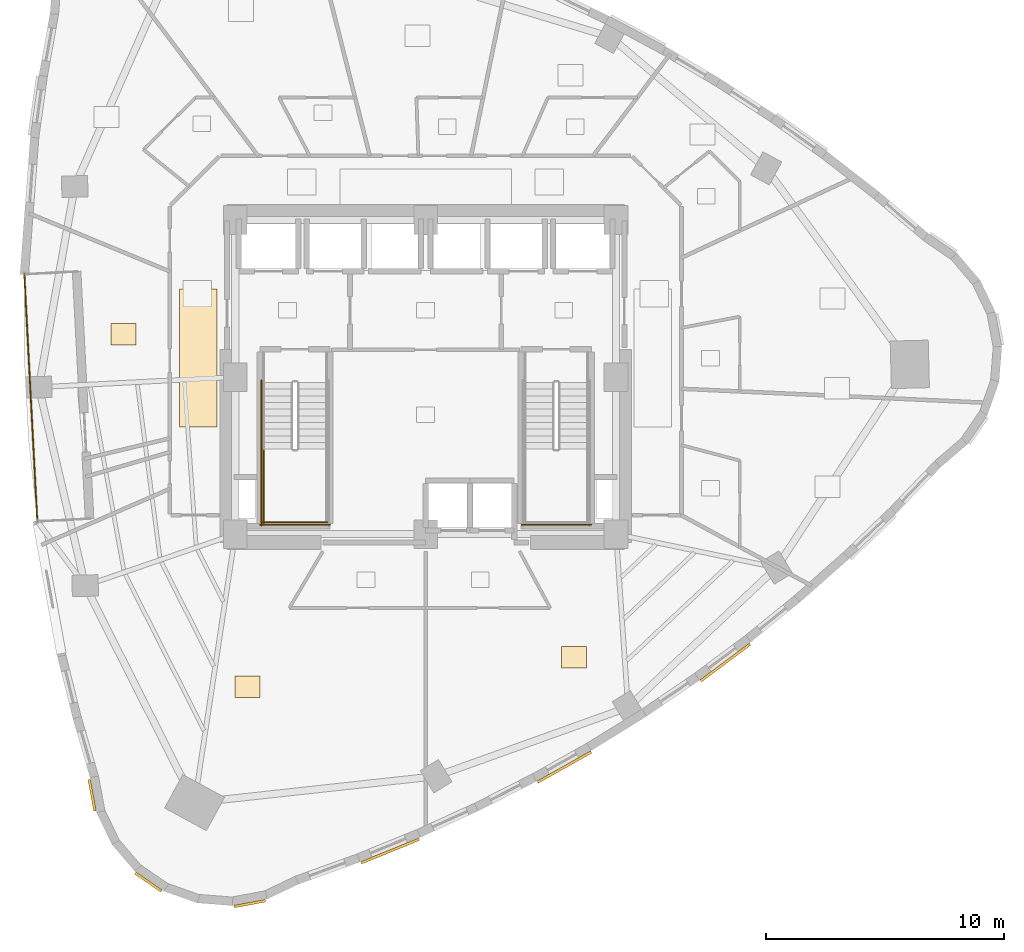
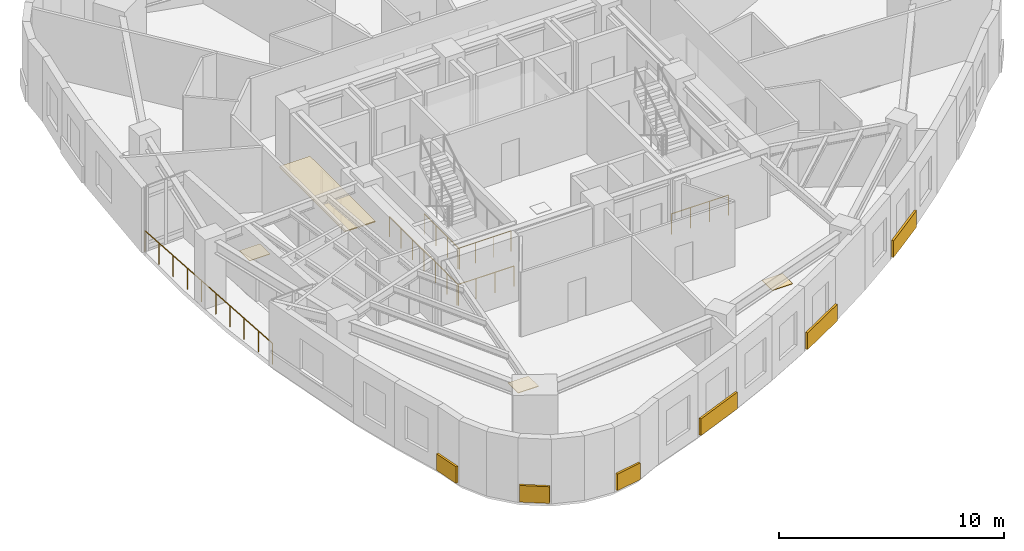
# One storey, part 10 of 12: 10 coverings, 6 railings.
"""IFC4 building model written with IfcOpenShell, lengths in metres."""

from ifc_helpers import new_model, si_unit, direction, frame, origin, origin_2d, place, context, subcontext, project, spatial, rectangle, circle, extrude, material, layer, layer_set, type_object, element, save


model = new_model("IFC4")

# Units and contexts
model_context = context("Model", 3, precision=1e-05, world=origin(), true_north=direction((0.0, 1.0)))
body_context = subcontext(model_context, "Body", "Model", "MODEL_VIEW")
ifc_project = project(units=[si_unit("LENGTHUNIT", "METRE"), si_unit("AREAUNIT", "SQUARE_METRE"), si_unit("VOLUMEUNIT", "CUBIC_METRE"), si_unit("PLANEANGLEUNIT", "RADIAN"), si_unit("MASSUNIT", "GRAM", prefix="KILO")], contexts=[model_context])

# Site, building, storey
site_placement = place(None, origin())
site = spatial("IfcSite", under=ifc_project, at=site_placement, CompositionType="ELEMENT")
building_placement = place(site_placement, origin())
building = spatial("IfcBuilding", under=site, at=building_placement, Name="Ndelora Gate Hotel", CompositionType="ELEMENT")
storey_placement = place(building_placement, frame((0.0, 0.0, 131.0)))
storey = spatial("IfcBuildingStorey", under=building, at=storey_placement, Name="L32", CompositionType="ELEMENT", Elevation=131.0)

# Coverings
ifc_material_1 = material(Name="Perforated Acoustic Gypsum Board", Category="gypsum")
ifc_layer_1 = layer(ifc_material_1, 0.054931640625)
ifc_layer_set_1 = layer_set([ifc_layer_1], Name="Perforated Acoustic Gypsum Board")
covering_type_1 = type_object("IfcCoveringType", Name="COV-CEIL-AC60", PredefinedType="CEILING", material=ifc_layer_set_1)
covering_1_placement = place(storey_placement, frame((-9.550048828125, 0.800048828125, 2.65234375), z_axis=(0.0, 0.0, 1.0), x_axis=(1.0, 0.0, 0.0)))
element("IfcCovering", 1, at=covering_1_placement, inside=storey, type_object=covering_type_1, Name="L32 Guest Corridor Acoustic Ceiling W", PredefinedType="CEILING", context=body_context, shape_type="SweptSolid", body=[
    extrude(rectangle(XDim=1.580078125, YDim=5.800048828125, at=origin_2d()), origin(), (0.0, 0.0, 1.0), 0.054931640625),
])
ifc_material_2 = material(Name="Terracotta Fired Clay Brick Slip Cladding", Category="masonry")
ifc_layer_2 = layer(ifc_material_2, 0.110107421875)
ifc_layer_set_2 = layer_set([ifc_layer_2], Name="Terracotta Fired Clay Brick Slip Cladding")
covering_type_2 = type_object("IfcCoveringType", Name="COV-CLAD-BRK", PredefinedType="CLADDING", material=ifc_layer_set_2)
for number, where, z_axis, x_axis, name in (
    (2, (-14.017333984375, -17.57373046875, 0.10009765625), (0.0, 0.0, 1.0), (-0.182235525492, 0.983254907564, 0.0), "L32 Rounded-Corner Brick Cladding Band 19"),
    (3, (-11.647216796875, -21.2236328125, 0.10009765625), (0.0, 0.0, 1.0), (-0.824126188622, 0.566406236925, 0.0), "L32 Rounded-Corner Brick Cladding Band 22"),
    (4, (-7.389892578125, -22.128662109375, 0.10009765625), (0.0, 0.0, 1.0), (0.983254907564, 0.182235525492, 0.0), "L32 Rounded-Corner Brick Cladding Band 25"),
):
    element("IfcCovering", number, at=place(storey_placement, frame(where, z_axis=z_axis, x_axis=x_axis)), inside=storey, type_object=covering_type_2, Name=name, PredefinedType="CLADDING", context=body_context, shape_type="SweptSolid", body=[
        extrude(rectangle(XDim=1.3359375, YDim=0.110107421875, at=origin_2d()), origin(), (0.0, 0.0, 1.0), 0.89990234375),
    ])
covering_2_placement = place(storey_placement, frame((-1.49169921875, -19.91796875, 0.10009765625), z_axis=(0.0, 0.0, 1.0), x_axis=(0.926068294858, 0.377355950342, 0.0)))
element("IfcCovering", 5, at=covering_2_placement, inside=storey, type_object=covering_type_2, Name="L32 Rounded-Corner Brick Cladding Band 28", PredefinedType="CLADDING", context=body_context, shape_type="SweptSolid", body=[
    extrude(rectangle(XDim=2.6279296875, YDim=0.110107421875, at=origin_2d()), origin(), (0.0, 0.0, 1.0), 0.89990234375),
])
for number, where, z_axis, x_axis, name in (
    (6, (5.833251953125, -16.3876953125, 0.10009765625), (0.0, 0.0, 1.0), (0.871641873673, 0.490143289315, 0.0), "L32 Rounded-Corner Brick Cladding Band 31"),
    (7, (12.598388671875, -11.994384765625, 0.10009765625), (0.0, 0.0, 1.0), (0.802296865209, 0.596925238263, 0.0), "L32 Rounded-Corner Brick Cladding Band 34"),
):
    element("IfcCovering", number, at=place(storey_placement, frame(where, z_axis=z_axis, x_axis=x_axis)), inside=storey, type_object=covering_type_2, Name=name, PredefinedType="CLADDING", context=body_context, shape_type="SweptSolid", body=[
        extrude(rectangle(XDim=2.583984375, YDim=0.110107421875, at=origin_2d()), origin(), (0.0, 0.0, 1.0), 0.89990234375),
    ])
ifc_material_3 = material(Name="Engineered Highland Oak Parquet", Category="wood")
ifc_layer_3 = layer(ifc_material_3, 0.030029296875)
ifc_layer_set_3 = layer_set([ifc_layer_3], Name="Engineered Highland Oak Parquet")
covering_type_3 = type_object("IfcCoveringType", Name="COV-FLR-PARQ", PredefinedType="FLOORING", material=ifc_layer_set_3)
for number, where, z_axis, x_axis, name in (
    (8, (-7.48681640625, -13.008056640625, 0.0), (0.0, 0.0, 1.0), (1.0, 0.0, 0.0), "L32 Club Twin Corner Suite 3501 Oak Parquet Flooring"),
    (9, (6.237548828125, -11.77490234375, 0.0), (0.0, 0.0, 1.0), (1.0, 0.0, 0.0), "L32 Club King Corner Suite 3502 Oak Parquet Flooring"),
    (10, (-12.6943359375, 1.801025390625, 0.0), (0.0, 0.0, 1.0), (1.0, 0.0, 0.0), "L32 Sky Garden Tea Dining Room Oak Parquet Flooring"),
):
    element("IfcCovering", number, at=place(storey_placement, frame(where, z_axis=z_axis, x_axis=x_axis)), inside=storey, type_object=covering_type_3, Name=name, PredefinedType="FLOORING", context=body_context, shape_type="SweptSolid", body=[
        extrude(rectangle(XDim=1.050048828125, YDim=0.89990234375, at=origin_2d()), origin(), (0.0, 0.0, 1.0), 0.030029296875),
    ])

# Railings
ifc_material_4 = material(Name="Laminated Safety Glass and Bronze Top Rail", Category="glass")
ifc_layer_4 = layer(ifc_material_4, 0.070068359375)
ifc_layer_set_4 = layer_set([ifc_layer_4], Name="Laminated Safety Glass and Bronze Top Rail")
railing_type_1 = type_object("IfcRailingType", Name="RL-BAL-1150", PredefinedType="BALUSTRADE", material=ifc_layer_set_4)
railing_1_placement = place(storey_placement, frame((-16.864990234375, 4.3232421875, 0.0)))
element("IfcRailing", 11, at=railing_1_placement, inside=storey, type_object=railing_type_1, Name="L32 Sky-Garden Loggia Terrace Balustrade", PredefinedType="BALUSTRADE", context=body_context, shape_type="SweptSolid", body=[
    extrude(circle(Radius=0.02392578125, at=origin_2d()), frame((0.0, 0.0, 1.1357421875), z_axis=(0.052325961458, -0.998630058509, 0.0), x_axis=(0.998630058509, 0.052325961458, 0.0)), (0.0, 0.0, 1.0), 10.39990234375),
    extrude(circle(Radius=0.02099609375, at=origin_2d()), origin(), (0.0, 0.0, 1.0), 1.11181640625),
    extrude(circle(Radius=0.02099609375, at=origin_2d()), frame((0.060546875, -1.154052734375, 0.0)), (0.0, 0.0, 1.0), 1.11181640625),
    extrude(circle(Radius=0.02099609375, at=origin_2d()), frame((0.120849609375, -2.307861328125, 0.0)), (0.0, 0.0, 1.0), 1.11181640625),
    extrude(circle(Radius=0.02099609375, at=origin_2d()), frame((0.181396484375, -3.4619140625, 0.0)), (0.0, 0.0, 1.0), 1.11181640625),
    extrude(circle(Radius=0.02099609375, at=origin_2d()), frame((0.241943359375, -4.615966796875, 0.0)), (0.0, 0.0, 1.0), 1.11181640625),
    extrude(circle(Radius=0.02099609375, at=origin_2d()), frame((0.30224609375, -5.769775390625, 0.0)), (0.0, 0.0, 1.0), 1.11181640625),
    extrude(circle(Radius=0.02099609375, at=origin_2d()), frame((0.36279296875, -6.923828125, 0.0)), (0.0, 0.0, 1.0), 1.11181640625),
    extrude(circle(Radius=0.02099609375, at=origin_2d()), frame((0.42333984375, -8.077880859375, 0.0)), (0.0, 0.0, 1.0), 1.11181640625),
    extrude(circle(Radius=0.02099609375, at=origin_2d()), frame((0.483642578125, -9.231689453125, 0.0)), (0.0, 0.0, 1.0), 1.11181640625),
    extrude(circle(Radius=0.02099609375, at=origin_2d()), frame((0.544189453125, -10.3857421875, 0.0)), (0.0, 0.0, 1.0), 1.11181640625),
])
ifc_material_5 = material(Name="Painted Galvanized Steel Balustrade", Category="steel")
ifc_layer_5 = layer(ifc_material_5, 0.06005859375)
ifc_layer_set_5 = layer_set([ifc_layer_5], Name="Painted Galvanized Steel Balustrade")
railing_type_2 = type_object("IfcRailingType", Name="RL-STAIR-GD", PredefinedType="GUARDRAIL", material=ifc_layer_set_5)
railing_2_placement = place(storey_placement, frame((-6.800048828125, -3.030029296875, 1.875)))
element("IfcRailing", 12, at=railing_2_placement, inside=storey, type_object=railing_type_2, Name="L32 ST4 stair guard 3", PredefinedType="GUARDRAIL", context=body_context, shape_type="SweptSolid", body=[
    extrude(circle(Radius=0.02392578125, at=origin_2d()), frame((0.0, 0.0, 1.10595703125), z_axis=(0.0, -1.0, 0.0), x_axis=(1.0, 0.0, 0.0)), (0.0, 0.0, 1.0), 3.119873046875),
    extrude(circle(Radius=0.02099609375, at=origin_2d()), origin(), (0.0, 0.0, 1.0), 1.081787109375),
    extrude(circle(Radius=0.02099609375, at=origin_2d()), frame((0.0, -1.0400390625, 0.0)), (0.0, 0.0, 1.0), 1.081787109375),
    extrude(circle(Radius=0.02099609375, at=origin_2d()), frame((0.0, -2.079833984375, 0.0)), (0.0, 0.0, 1.0), 1.081787109375),
    extrude(circle(Radius=0.02099609375, at=origin_2d()), frame((0.0, -3.119873046875, 0.0)), (0.0, 0.0, 1.0), 1.081787109375),
])
railing_3_placement = place(storey_placement, frame((-6.85009765625, -6.10009765625, 1.875)))
element("IfcRailing", 13, at=railing_3_placement, inside=storey, type_object=railing_type_2, Name="L32 ST4 stair guard 5", PredefinedType="GUARDRAIL", context=body_context, shape_type="SweptSolid", body=[
    extrude(circle(Radius=0.02392578125, at=origin_2d()), frame((0.0, 0.0, 1.10595703125), z_axis=(1.0, 0.0, 0.0), x_axis=(0.0, 1.0, 0.0)), (0.0, 0.0, 1.0), 2.72021484375),
    extrude(circle(Radius=0.02099609375, at=origin_2d()), origin(), (0.0, 0.0, 1.0), 1.081787109375),
    extrude(circle(Radius=0.02099609375, at=origin_2d()), frame((0.90673828125, 0.0, 0.0)), (0.0, 0.0, 1.0), 1.081787109375),
    extrude(circle(Radius=0.02099609375, at=origin_2d()), frame((1.8134765625, 0.0, 0.0)), (0.0, 0.0, 1.0), 1.081787109375),
    extrude(circle(Radius=0.02099609375, at=origin_2d()), frame((2.72021484375, 0.0, 0.0)), (0.0, 0.0, 1.0), 1.081787109375),
])
railing_4_placement = place(storey_placement, frame((-6.89990234375, -0.1298828125, 0.0)))
element("IfcRailing", 14, at=railing_4_placement, inside=storey, type_object=railing_type_2, Name="L32 ST4 stair guard 10", PredefinedType="GUARDRAIL", context=body_context, shape_type="SweptSolid", body=[
    extrude(circle(Radius=0.02392578125, at=origin_2d()), frame((0.0, 0.0, 1.10595703125), z_axis=(0.0, -1.0, 0.0), x_axis=(1.0, 0.0, 0.0)), (0.0, 0.0, 1.0), 6.1201171875),
    extrude(circle(Radius=0.02099609375, at=origin_2d()), origin(), (0.0, 0.0, 1.0), 1.081787109375),
    extrude(circle(Radius=0.02099609375, at=origin_2d()), frame((0.0, -1.02001953125, 0.0)), (0.0, 0.0, 1.0), 1.081787109375),
    extrude(circle(Radius=0.02099609375, at=origin_2d()), frame((0.0, -2.0400390625, 0.0)), (0.0, 0.0, 1.0), 1.081787109375),
    extrude(circle(Radius=0.02099609375, at=origin_2d()), frame((0.0, -3.06005859375, 0.0)), (0.0, 0.0, 1.0), 1.081787109375),
    extrude(circle(Radius=0.02099609375, at=origin_2d()), frame((0.0, -4.080078125, 0.0)), (0.0, 0.0, 1.0), 1.081787109375),
    extrude(circle(Radius=0.02099609375, at=origin_2d()), frame((0.0, -5.10009765625, 0.0)), (0.0, 0.0, 1.0), 1.081787109375),
    extrude(circle(Radius=0.02099609375, at=origin_2d()), frame((0.0, -6.1201171875, 0.0)), (0.0, 0.0, 1.0), 1.081787109375),
])
for number, where, name in (
    (15, (-6.949951171875, -6.199951171875, 0.0), "L32 ST4 stair guard 12"),
    (16, (4.030029296875, -6.199951171875, 0.0), "L32 ST5 stair guard 12"),
):
    element("IfcRailing", number, at=place(storey_placement, frame(where)), inside=storey, type_object=railing_type_2, Name=name, PredefinedType="GUARDRAIL", context=body_context, shape_type="SweptSolid", body=[
        extrude(circle(Radius=0.02392578125, at=origin_2d()), frame((0.0, 0.0, 1.10595703125), z_axis=(1.0, 0.0, 0.0), x_axis=(0.0, 1.0, 0.0)), (0.0, 0.0, 1.0), 2.919921875),
        extrude(circle(Radius=0.02099609375, at=origin_2d()), origin(), (0.0, 0.0, 1.0), 1.081787109375),
        extrude(circle(Radius=0.02099609375, at=origin_2d()), frame((0.973388671875, 0.0, 0.0)), (0.0, 0.0, 1.0), 1.081787109375),
        extrude(circle(Radius=0.02099609375, at=origin_2d()), frame((1.946533203125, 0.0, 0.0)), (0.0, 0.0, 1.0), 1.081787109375),
        extrude(circle(Radius=0.02099609375, at=origin_2d()), frame((2.919921875, 0.0, 0.0)), (0.0, 0.0, 1.0), 1.081787109375),
    ])

save(model, "model.ifc")
